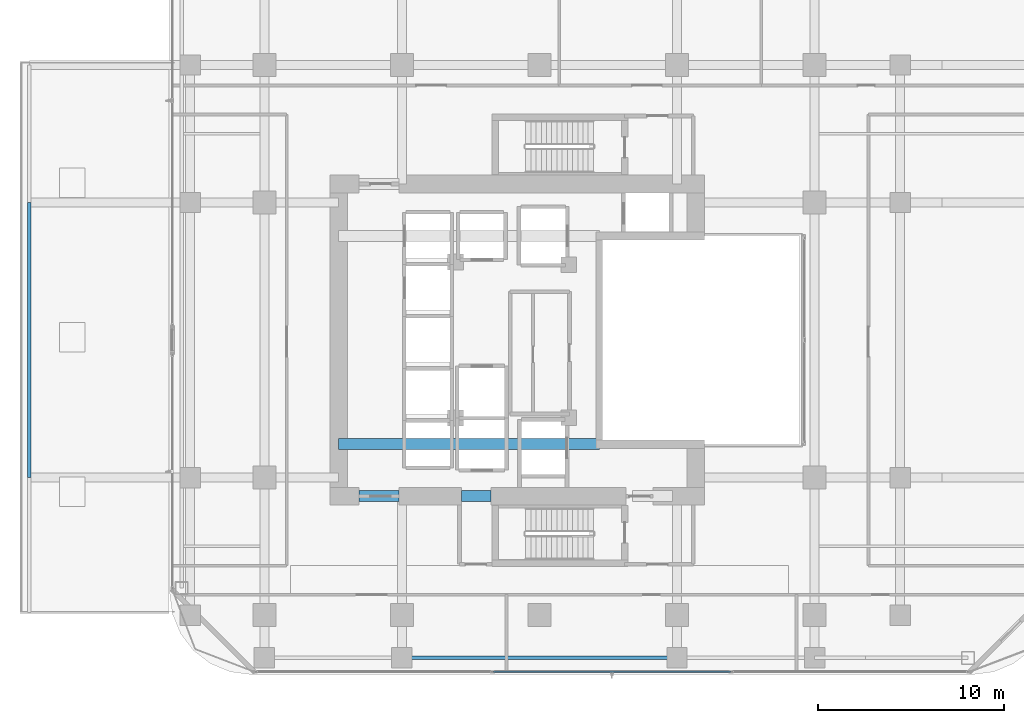
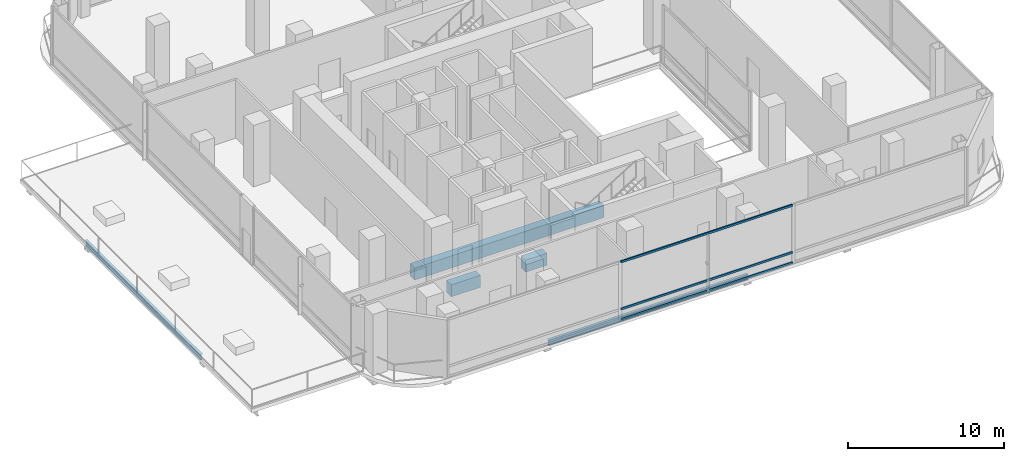
# One storey, part 4 of 28: 5 beams, 3 members, 1 element without a shape of its own.
"""IFC4 building model written with IfcOpenShell, lengths in metres."""

from ifc_helpers import new_model, si_unit, direction, frame, origin, origin_2d, place, context, subcontext, project, spatial, rectangle, hollow_rectangle, i_section, extrude, material, layer, layer_set, material_profile, profile_set, type_object, element, aggregate, save


model = new_model("IFC4")

# Units and contexts
model_context = context("Model", 3, precision=1e-05, world=origin(), true_north=direction((0.0, 1.0)))
body_context = subcontext(model_context, "Body", "Model", "MODEL_VIEW")
ifc_project = project(units=[si_unit("LENGTHUNIT", "METRE"), si_unit("AREAUNIT", "SQUARE_METRE"), si_unit("VOLUMEUNIT", "CUBIC_METRE"), si_unit("PLANEANGLEUNIT", "RADIAN"), si_unit("MASSUNIT", "GRAM", prefix="KILO")], contexts=[model_context])

# Site, building, storey
site_placement = place(None, origin())
site = spatial("IfcSite", under=ifc_project, at=site_placement, CompositionType="ELEMENT")
building_placement = place(site_placement, origin())
building = spatial("IfcBuilding", under=site, at=building_placement, Name="Khorvyn Point Tower", CompositionType="ELEMENT")
storey_placement = place(building_placement, frame((0.0, 0.0, 108.60009765625)))
storey = spatial("IfcBuildingStorey", under=building, at=storey_placement, Name="L27", CompositionType="ELEMENT", Elevation=108.60009765625)

# Curtain wall, members
ifc_material_1 = material(Name="Anodised aluminium 6063-T6 and laminated Low-E glass", Category="aluminium")
ifc_layer = layer(ifc_material_1, 0.18994140625)
ifc_layer_set = layer_set([ifc_layer], Name="Stick-Built Sky-Lobby Curtain Wall CW-SYS-05")
curtain_wall_type = type_object("IfcCurtainWallType", Name="Stick-Built Sky-Lobby Curtain Wall CW-SYS-05", PredefinedType="NOTDEFINED", material=ifc_layer_set)
curtain_wall_placement = place(storey_placement, origin())
curtain_wall = element("IfcCurtainWall", 1, at=curtain_wall_placement, inside=storey, type_object=curtain_wall_type, Name="Curtain Wall", PredefinedType="NOTDEFINED")
ifc_material_2 = material(Name="Anodised aluminium 6063-T6", Category="aluminium")
ifc_material_profile_1 = material_profile(ifc_material_2, hollow_rectangle(XDim=0.10009765625, YDim=0.159912109375, WallThickness=0.00439453125, at=origin_2d()))
ifc_profile_set_1 = profile_set([ifc_material_profile_1], Name="Anodised aluminium 6063-T6 ALU-TRN-100x160")
member_type = type_object("IfcMemberType", Name="Anodised Aluminium 6063-T6 Transom ALU-TRN-100x160", PredefinedType="USERDEFINED", material=ifc_profile_set_1)
member_1_placement = place(storey_placement, frame((10.2666015625, -17.85009765625, 0.0498046875), z_axis=(-1.0, 0.0, 0.0), x_axis=(0.0, -1.0, 0.0)))
member_1 = element("IfcMember", 2, at=member_1_placement, type_object=member_type, Name="Transom", ObjectType="TRANSOM", PredefinedType="USERDEFINED", context=body_context, shape_type="SweptSolid", body=[
    extrude(hollow_rectangle(XDim=0.10009765625, YDim=0.159912109375, WallThickness=0.00439453125, at=origin_2d()), origin(), (0.0, 0.0, 1.0), 12.733154296875),
])
member_2_placement = place(storey_placement, frame((10.2666015625, -17.85009765625, 0.849853515625), z_axis=(-1.0, 0.0, 0.0), x_axis=(0.0, -1.0, 0.0)))
member_2 = element("IfcMember", 3, at=member_2_placement, type_object=member_type, Name="Transom", ObjectType="TRANSOM", PredefinedType="USERDEFINED", context=body_context, shape_type="SweptSolid", body=[
    extrude(hollow_rectangle(XDim=0.10009765625, YDim=0.159912109375, WallThickness=0.00439453125, at=origin_2d()), origin(), (0.0, 0.0, 1.0), 12.733154296875),
])
member_3_placement = place(storey_placement, frame((10.2666015625, -17.85009765625, 4.52978515625), z_axis=(-1.0, 0.0, 0.0), x_axis=(0.0, -1.0, 0.0)))
member_3 = element("IfcMember", 4, at=member_3_placement, type_object=member_type, Name="Transom", ObjectType="TRANSOM", PredefinedType="USERDEFINED", context=body_context, shape_type="SweptSolid", body=[
    extrude(hollow_rectangle(XDim=0.10009765625, YDim=0.159912109375, WallThickness=0.00439453125, at=origin_2d()), origin(), (0.0, 0.0, 1.0), 12.733154296875),
])
aggregate(curtain_wall, [member_1, member_2, member_3])

# Beams
ifc_material_3 = material(Name="Concrete C50/60", Category="concrete")
ifc_material_profile_2 = material_profile(ifc_material_3, rectangle(XDim=0.60009765625, YDim=0.949951171875, at=origin_2d()))
ifc_profile_set_2 = profile_set([ifc_material_profile_2], Name="Concrete C50/60 RC600x950")
beam_type_1 = type_object("IfcBeamType", Name="Concrete C50/60 Beam RC600x950", PredefinedType="BEAM", material=ifc_profile_set_2)
beam_1_placement = place(storey_placement, frame((-10.800048828125, -5.60009765625, -0.755126953125), z_axis=(1.0, 0.0, 0.0), x_axis=(0.0, 1.0, 0.0)))
element("IfcBeam", 5, at=beam_1_placement, inside=storey, type_object=beam_type_1, Name="L27 Core Internal Tie Girder S", PredefinedType="BEAM", context=body_context, shape_type="SweptSolid", body=[
    extrude(rectangle(XDim=0.60009765625, YDim=0.949951171875, at=origin_2d()), origin(), (0.0, 0.0, 1.0), 14.02001953125),
])
beam_2_placement = place(storey_placement, frame((-9.699951171875, -8.39990234375, -0.755126953125), z_axis=(1.0, 0.0, 0.0), x_axis=(0.0, 1.0, 0.0)))
element("IfcBeam", 6, at=beam_2_placement, inside=storey, type_object=beam_type_1, Name="L27 Core Southwest Portal Coupling Beam", PredefinedType="BEAM", context=body_context, shape_type="SweptSolid", body=[
    extrude(rectangle(XDim=0.60009765625, YDim=0.949951171875, at=origin_2d()), origin(), (0.0, 0.0, 1.0), 2.14990234375),
])
beam_3_placement = place(storey_placement, frame((-4.199951171875, -8.39990234375, -0.755126953125), z_axis=(1.0, 0.0, 0.0), x_axis=(0.0, 1.0, 0.0)))
element("IfcBeam", 7, at=beam_3_placement, inside=storey, type_object=beam_type_1, Name="L27 Core Shuttle Portal Coupling Beam", PredefinedType="BEAM", context=body_context, shape_type="SweptSolid", body=[
    extrude(rectangle(XDim=0.60009765625, YDim=0.949951171875, at=origin_2d()), origin(), (0.0, 0.0, 1.0), 1.579833984375),
])
ifc_material_4 = material(Name="Steel S355", Category="steel")
ifc_material_profile_3 = material_profile(ifc_material_4, i_section(OverallWidth=0.199951171875, OverallDepth=0.449951171875, WebThickness=0.009033203125, FlangeThickness=0.013916015625, at=origin_2d()))
ifc_profile_set_3 = profile_set([ifc_material_profile_3], Name="Steel S355 H450x200x9x14")
beam_type_2 = type_object("IfcBeamType", Name="Steel S355 Spandrel H450x200x9x14", PredefinedType="SPANDREL", material=ifc_profile_set_3)
for number, where, z_axis, x_axis, name in (
    (8, (-7.39990234375, -17.10009765625, -0.505126953125), (1.0, 0.0, 0.0), (0.0, 1.0, 0.0), "Beam"),
    (9, (-27.449951171875, -7.39990234375, -0.505126953125), (0.0, 1.0, 0.0), (-1.0, 0.0, 0.0), "Beam"),
):
    element("IfcBeam", number, at=place(storey_placement, frame(where, z_axis=z_axis, x_axis=x_axis)), inside=storey, type_object=beam_type_2, Name=name, PredefinedType="SPANDREL", context=body_context, shape_type="SweptSolid", body=[
        extrude(i_section(OverallWidth=0.199951171875, OverallDepth=0.449951171875, WebThickness=0.009033203125, FlangeThickness=0.013916015625, at=origin_2d()), origin(), (0.0, 0.0, 1.0), 14.7998046875),
    ])

save(model, "model.ifc")
